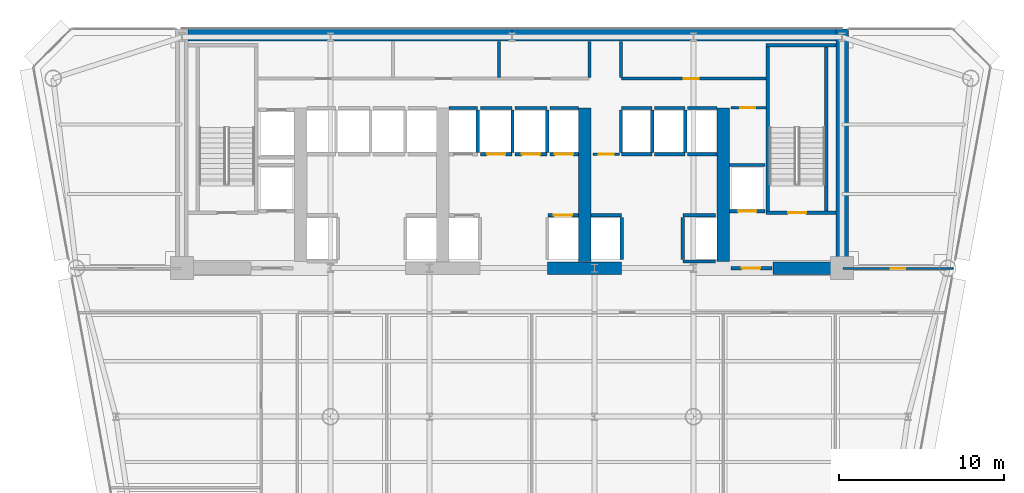
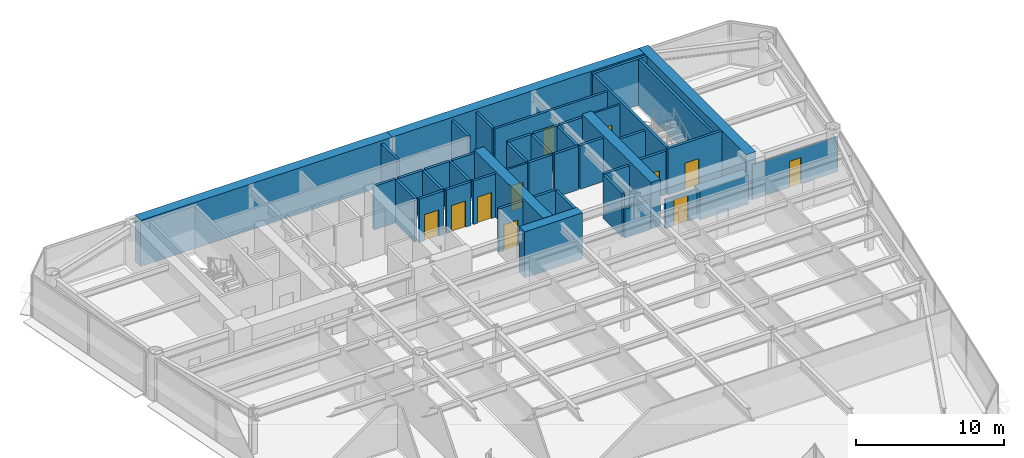
# One storey, part 10 of 15: 46 walls, 11 doors, 11 openings.
"""IFC4 building model written with IfcOpenShell, lengths in metres."""

from ifc_helpers import new_model, si_unit, direction, frame, frame_2d, origin, place, context, subcontext, project, spatial, rectangle, extrude, source, transform, mapped, material, layer, layer_set, type_object, element, fill, save


model = new_model("IFC4")

# Units and contexts
model_context = context("Model", 3, precision=1e-05, world=origin(), true_north=direction((0.0, 1.0)))
body_context = subcontext(model_context, "Body", "Model", "MODEL_VIEW")
ifc_project = project(units=[si_unit("LENGTHUNIT", "METRE"), si_unit("AREAUNIT", "SQUARE_METRE"), si_unit("VOLUMEUNIT", "CUBIC_METRE"), si_unit("PLANEANGLEUNIT", "RADIAN"), si_unit("MASSUNIT", "GRAM", prefix="KILO")], contexts=[model_context])

# Site, building, storey
site_placement = place(None, origin())
site = spatial("IfcSite", under=ifc_project, at=site_placement, CompositionType="ELEMENT")
building_placement = place(site_placement, origin())
building = spatial("IfcBuilding", under=site, at=building_placement, Name="Vaeldorn Concourse Tower", CompositionType="ELEMENT")
storey_placement = place(building_placement, frame((0.0, 0.0, 103.39990234375)))
storey = spatial("IfcBuildingStorey", under=building, at=storey_placement, Name="L26", CompositionType="ELEMENT", Elevation=103.39990234375)

# Walls
ifc_material_1 = material(Name="Concrete C60/75", Category="concrete")
ifc_layer_1 = layer(ifc_material_1, 0.75)
ifc_layer_set_1 = layer_set([ifc_layer_1], Name="Concrete C60/75")
wall_type_1 = type_object("IfcWallType", Name="WL-CORE-750", PredefinedType="SHEAR", material=ifc_layer_set_1)
for number, where, z_axis, x_axis, name in (
    (1, (14.37890625, 50.625, 0.0), (0.0, 0.0, 1.0), (1.0, 0.0, 0.0), "Rear Core Shear Wall L26 N1"),
    (2, (34.001953125, 50.625, 0.0), (0.0, 0.0, 1.0), (1.0, 0.0, 0.0), "Rear Core Shear Wall L26 N2"),
):
    element("IfcWall", number, at=place(storey_placement, frame(where, z_axis=z_axis, x_axis=x_axis)), inside=storey, type_object=wall_type_1, Name=name, PredefinedType="SHEAR", context=body_context, shape_type="SweptSolid", body=[
        extrude(rectangle(XDim=19.619140625, YDim=0.75, at=frame_2d((9.8095703125, 0.0))), origin(), (0.0, 0.0, 1.0), 3.800048828125),
    ])
wall_1_placement = place(storey_placement, frame((54.0, 36.5, 0.0), z_axis=(0.0, 0.0, 1.0), x_axis=(0.0, 1.0, 0.0)))
element("IfcWall", 3, at=wall_1_placement, inside=storey, type_object=wall_type_1, Name="Rear Core Shear Wall L26 E1", PredefinedType="SHEAR", context=body_context, shape_type="SweptSolid", body=[
    extrude(rectangle(XDim=14.5, YDim=0.75, at=frame_2d((7.25, 0.0))), origin(), (0.0, 0.0, 1.0), 3.800048828125),
])
wall_2_placement = place(storey_placement, frame((36.14990234375, 36.5, 0.0), z_axis=(0.0, 0.0, 1.0), x_axis=(1.0, 0.0, 0.0)))
element("IfcWall", 4, at=wall_2_placement, inside=storey, type_object=wall_type_1, Name="Rear Core Shear Wall L26 S3", PredefinedType="SHEAR", context=body_context, shape_type="SweptSolid", body=[
    extrude(rectangle(XDim=4.5, YDim=0.75, at=frame_2d((2.25, 0.0))), origin(), (0.0, 0.0, 1.0), 3.800048828125),
])
wall_3_placement = place(storey_placement, frame((49.800048828125, 36.5, 0.0), z_axis=(0.0, 0.0, 1.0), x_axis=(1.0, 0.0, 0.0)))
element("IfcWall", 5, at=wall_3_placement, inside=storey, type_object=wall_type_1, Name="Rear Core Shear Wall L26 S4", PredefinedType="SHEAR", context=body_context, shape_type="SweptSolid", body=[
    extrude(rectangle(XDim=3.804931640625, YDim=0.75, at=frame_2d((1.90234375, 0.0))), origin(), (0.0, 0.0, 1.0), 2.380126953125),
])
for number, where, z_axis, x_axis, name in (
    (6, (38.39990234375, 36.89501953125, 0.0), (0.0, 0.0, 1.0), (0.0, 1.0, 0.0), "Rear Core Shear Wall L26 M3"),
    (7, (46.800048828125, 36.89501953125, 0.0), (0.0, 0.0, 1.0), (0.0, 1.0, 0.0), "Rear Core Shear Wall L26 M4"),
):
    element("IfcWall", number, at=place(storey_placement, frame(where, z_axis=z_axis, x_axis=x_axis)), inside=storey, type_object=wall_type_1, Name=name, PredefinedType="SHEAR", context=body_context, shape_type="SweptSolid", body=[
        extrude(rectangle(XDim=9.304931640625, YDim=0.75, at=frame_2d((4.65234375, 0.0))), origin(), (0.0, 0.0, 1.0), 3.800048828125),
    ])

# Wall, opening, door
ifc_material_2 = material(Name="Gypsum Board Partition", Category="gypsum")
ifc_layer_2 = layer(ifc_material_2, 0.1201171875)
ifc_layer_set_2 = layer_set([ifc_layer_2], Name="Gypsum Board Partition")
wall_type_2 = type_object("IfcWallType", Name="WL-PART-120", PredefinedType="PARTITIONING", material=ifc_layer_set_2)
wall_4_placement = place(storey_placement, frame((54.06005859375, 36.47998046875, 0.0), z_axis=(0.0, 0.0, 1.0), x_axis=(1.0, 0.0, 0.0)))
wall_4 = element("IfcWall", 8, at=wall_4_placement, inside=storey, type_object=wall_type_2, Name="Interior Wall PW-L26-NES", PredefinedType="PARTITIONING", context=body_context, shape_type="SweptSolid", body=[
    extrude(rectangle(XDim=6.666259765625, YDim=0.1201171875, at=frame_2d((3.3330078125, 0.0))), origin(), (0.0, 0.0, 1.0), 2.8701171875),
])
opening_1_placement = place(wall_4_placement, frame((2.883056640625, 0.0, 0.0)))
opening_1 = element("IfcOpeningElement", 9, at=opening_1_placement, cuts=wall_4, Name="Opening D-03", PredefinedType="OPENING", context=body_context, shape_type="SweptSolid", body=[
    extrude(rectangle(XDim=0.89990234375, YDim=2.14990234375, at=frame_2d((0.449951171875, 1.074951171875))), frame((0.0, 0.070068359375, 0.0), z_axis=(0.0, -1.0, 0.0), x_axis=(1.0, 0.0, 0.0)), (0.0, 0.0, 1.0), 0.14013671875),
])
ifc_material_3 = material(Name="Acoustic Bronze-Framed Glass Door", Category="glass")
door_type_1 = type_object("IfcDoorType", Name="DR-INT-900", OperationType="NOTDEFINED", PredefinedType="DOOR", material=ifc_material_3)
shared_shape_1 = source(origin(), body_context, "Body", "SweptSolid", [
    extrude(rectangle(XDim=0.89990234375, YDim=2.14990234375, at=frame_2d((0.449951171875, 1.074951171875))), frame((0.0, 0.02490234375, 0.0), z_axis=(0.0, -1.0, 0.0), x_axis=(1.0, 0.0, 0.0)), (0.0, 0.0, 1.0), 0.050048828125),
])
door_1_placement = place(opening_1_placement, origin())
door_1 = element("IfcDoor", 10, at=door_1_placement, inside=storey, type_object=door_type_1, Name="Interior Door DR-L26-NEC", OperationType="SINGLE_SWING_RIGHT", OverallHeight=2.14990234375, OverallWidth=0.89990234375, PredefinedType="DOOR", context=body_context, shape_type="MappedRepresentation", body=[
    mapped(shared_shape_1, transform((0.0, 0.0, 0.0), scale=1.0)),
])
fill(opening_1, door_1)

ifc_layer_3 = layer(ifc_material_2, 0.14990234375)
ifc_layer_set_3 = layer_set([ifc_layer_3], Name="Gypsum Board Partition")
wall_type_3 = type_object("IfcWallType", Name="WL-PART-150", PredefinedType="PARTITIONING", material=ifc_layer_set_3)
wall_5_placement = place(storey_placement, frame((47.280029296875, 46.219970703125, 0.0), z_axis=(0.0, 0.0, 1.0), x_axis=(1.0, 0.0, 0.0)))
wall_5 = element("IfcWall", 11, at=wall_5_placement, inside=storey, type_object=wall_type_3, Name="Interior Wall CW-L26-CRSE-N", PredefinedType="PARTITIONING", context=body_context, shape_type="SweptSolid", body=[
    extrude(rectangle(XDim=2.099853515625, YDim=0.14990234375, at=frame_2d((1.0498046875, 0.0))), origin(), (0.0, 0.0, 1.0), 3.580078125),
])
opening_2_placement = place(wall_5_placement, frame((0.550048828125, 0.0, 0.0)))
opening_2 = element("IfcOpeningElement", 12, at=opening_2_placement, cuts=wall_5, Name="Opening D-02", PredefinedType="OPENING", context=body_context, shape_type="SweptSolid", body=[
    extrude(rectangle(XDim=0.89990234375, YDim=2.10009765625, at=frame_2d((0.449951171875, 1.050048828125))), frame((0.0, 0.0849609375, 0.0), z_axis=(0.0, -1.0, 0.0), x_axis=(1.0, 0.0, 0.0)), (0.0, 0.0, 1.0), 0.169921875),
])
ifc_material_4 = material(Name="Fire-Rated Timber Leaf", Category="wood")
door_type_2 = type_object("IfcDoorType", Name="DR-FD30-900", OperationType="NOTDEFINED", PredefinedType="DOOR", material=ifc_material_4)
shared_shape_2 = source(origin(), body_context, "Body", "SweptSolid", [
    extrude(rectangle(XDim=0.89990234375, YDim=2.10009765625, at=frame_2d((0.449951171875, 1.050048828125))), frame((0.0, 0.02490234375, 0.0), z_axis=(0.0, -1.0, 0.0), x_axis=(1.0, 0.0, 0.0)), (0.0, 0.0, 1.0), 0.050048828125),
])
door_2_placement = place(opening_2_placement, origin())
door_2 = element("IfcDoor", 13, at=door_2_placement, inside=storey, type_object=door_type_2, Name="Interior Door DR-L26-CRSE", OperationType="SINGLE_SWING_RIGHT", OverallHeight=2.10009765625, OverallWidth=0.89990234375, PredefinedType="DOOR", context=body_context, shape_type="MappedRepresentation", body=[
    mapped(shared_shape_2, transform((0.0, 0.0, 0.0), scale=1.0)),
])
fill(opening_2, door_2)

wall_6_placement = place(storey_placement, frame((38.919921875, 43.39990234375, 0.0), z_axis=(0.0, 0.0, 1.0), x_axis=(1.0, 0.0, 0.0)))
wall_6 = element("IfcWall", 14, at=wall_6_placement, inside=storey, type_object=wall_type_3, Name="Interior Wall CW-L26-CCLINK", PredefinedType="PARTITIONING", context=body_context, shape_type="SweptSolid", body=[
    extrude(rectangle(XDim=1.60009765625, YDim=0.14990234375, at=frame_2d((0.800048828125, 0.0))), origin(), (0.0, 0.0, 1.0), 3.580078125),
])
opening_3_placement = place(wall_6_placement, frame((0.35009765625, 0.0, 0.0)))
opening_3 = element("IfcOpeningElement", 15, at=opening_3_placement, cuts=wall_6, Name="Opening D-02", PredefinedType="OPENING", context=body_context, shape_type="SweptSolid", body=[
    extrude(rectangle(XDim=0.89990234375, YDim=2.10009765625, at=frame_2d((0.449951171875, 1.050048828125))), frame((0.0, 0.0849609375, 0.0), z_axis=(0.0, -1.0, 0.0), x_axis=(1.0, 0.0, 0.0)), (0.0, 0.0, 1.0), 0.169921875),
])
door_3_placement = place(opening_3_placement, origin())
door_3 = element("IfcDoor", 16, at=door_3_placement, inside=storey, type_object=door_type_2, Name="Interior Door DR-L26-CCLINK", OperationType="SINGLE_SWING_LEFT", OverallHeight=2.10009765625, OverallWidth=0.89990234375, PredefinedType="DOOR", context=body_context, shape_type="MappedRepresentation", body=[
    mapped(shared_shape_2, transform((0.0, 0.0, 0.0), scale=1.0)),
])
fill(opening_3, door_3)

ifc_layer_4 = layer(ifc_material_2, 0.179931640625)
ifc_layer_set_4 = layer_set([ifc_layer_4], Name="Gypsum Board Partition")
wall_type_4 = type_object("IfcWallType", Name="WL-PLUMB-180", PredefinedType="PLUMBINGWALL", material=ifc_layer_set_4)
wall_7_placement = place(storey_placement, frame((40.6201171875, 47.97998046875, 0.0), z_axis=(0.0, 0.0, 1.0), x_axis=(1.0, 0.0, 0.0)))
wall_7 = element("IfcWall", 17, at=wall_7_placement, inside=storey, type_object=wall_type_4, Name="Interior Wall CW-L26-NS1E", PredefinedType="PLUMBINGWALL", context=body_context, shape_type="SweptSolid", body=[
    extrude(rectangle(XDim=8.759765625, YDim=0.179931640625, at=frame_2d((4.3798828125, 0.0))), origin(), (0.0, 0.0, 1.0), 3.580078125),
])
opening_4_placement = place(wall_7_placement, frame((3.800048828125, 0.0, 0.0)))
opening_4 = element("IfcOpeningElement", 18, at=opening_4_placement, cuts=wall_7, Name="Opening D-03", PredefinedType="OPENING", context=body_context, shape_type="SweptSolid", body=[
    extrude(rectangle(XDim=0.89990234375, YDim=2.14990234375, at=frame_2d((0.449951171875, 1.074951171875))), frame((0.0, 0.10009765625, 0.0), z_axis=(0.0, -1.0, 0.0), x_axis=(1.0, 0.0, 0.0)), (0.0, 0.0, 1.0), 0.199951171875),
])
door_4_placement = place(opening_4_placement, origin())
door_4 = element("IfcDoor", 19, at=door_4_placement, inside=storey, type_object=door_type_1, Name="Interior Door DR-L26-CS4", OperationType="SINGLE_SWING_RIGHT", OverallHeight=2.14990234375, OverallWidth=0.89990234375, PredefinedType="DOOR", context=body_context, shape_type="MappedRepresentation", body=[
    mapped(shared_shape_1, transform((0.0, 0.0, 0.0), scale=1.0)),
])
fill(opening_4, door_4)

# Walls
for number, where, z_axis, x_axis, name in (
    (20, (33.199951171875, 48.06005859375, 0.0), (0.0, 0.0, 1.0), (0.0, 1.0, 0.0), "Interior Wall CW-L26-NDIV2"),
    (21, (38.699951171875, 48.06005859375, 0.0), (0.0, 0.0, 1.0), (0.0, 1.0, 0.0), "Interior Wall CW-L26-NDIV3"),
    (22, (40.60009765625, 48.06005859375, 0.0), (0.0, 0.0, 1.0), (0.0, 1.0, 0.0), "Interior Wall CW-L26-NDIV4"),
):
    element("IfcWall", number, at=place(storey_placement, frame(where, z_axis=z_axis, x_axis=x_axis)), inside=storey, type_object=wall_type_4, Name=name, PredefinedType="PLUMBINGWALL", context=body_context, shape_type="SweptSolid", body=[
        extrude(rectangle(XDim=2.169921875, YDim=0.179931640625, at=frame_2d((1.0849609375, 0.0))), origin(), (0.0, 0.0, 1.0), 3.580078125),
    ])

# Wall, opening, door
ifc_material_5 = material(Name="Concrete C50/60", Category="concrete")
ifc_layer_5 = layer(ifc_material_5, 0.199951171875)
ifc_layer_set_5 = layer_set([ifc_layer_5], Name="Concrete C50/60")
wall_type_5 = type_object("IfcWallType", Name="WL-SHAFT-200", PredefinedType="SOLIDWALL", material=ifc_layer_set_5)
wall_8_placement = place(storey_placement, frame((49.39990234375, 39.85009765625, 0.0), z_axis=(0.0, 0.0, 1.0), x_axis=(1.0, 0.0, 0.0)))
wall_8 = element("IfcWall", 23, at=wall_8_placement, inside=storey, type_object=wall_type_5, Name="Stair Shaft Wall CW-L26-ST-2-S", PredefinedType="SOLIDWALL", context=body_context, shape_type="SweptSolid", body=[
    extrude(rectangle(XDim=4.22509765625, YDim=0.199951171875, at=frame_2d((2.112548828125, 0.0))), origin(), (0.0, 0.0, 1.0), 3.800048828125),
])
opening_5_placement = place(wall_8_placement, frame((1.324951171875, 0.0, 0.0)))
opening_5 = element("IfcOpeningElement", 24, at=opening_5_placement, cuts=wall_8, Name="Opening D-01", PredefinedType="OPENING", context=body_context, shape_type="SweptSolid", body=[
    extrude(rectangle(XDim=1.10009765625, YDim=2.14990234375, at=frame_2d((0.550048828125, 1.074951171875))), frame((0.0, 0.10986328125, 0.0), z_axis=(0.0, -1.0, 0.0), x_axis=(1.0, 0.0, 0.0)), (0.0, 0.0, 1.0), 0.219970703125),
])
ifc_material_6 = material(Name="Fire-Rated Timber and Steel Leaf", Category="steel")
door_type_3 = type_object("IfcDoorType", Name="DR-FD60-1100", OperationType="NOTDEFINED", PredefinedType="DOOR", material=ifc_material_6)
shared_shape_3 = source(origin(), body_context, "Body", "SweptSolid", [
    extrude(rectangle(XDim=1.10009765625, YDim=2.14990234375, at=frame_2d((0.550048828125, 1.074951171875))), frame((0.0, 0.02490234375, 0.0), z_axis=(0.0, -1.0, 0.0), x_axis=(1.0, 0.0, 0.0)), (0.0, 0.0, 1.0), 0.050048828125),
])
door_5_placement = place(opening_5_placement, origin())
door_5 = element("IfcDoor", 25, at=door_5_placement, inside=storey, type_object=door_type_3, Name="Interior Door DR-L26-ST-2", OperationType="SINGLE_SWING_RIGHT", OverallHeight=2.14990234375, OverallWidth=1.10009765625, PredefinedType="DOOR", context=body_context, shape_type="MappedRepresentation", body=[
    mapped(shared_shape_3, transform((0.0, 0.0, 0.0), scale=1.0)),
])
fill(opening_5, door_5)

# Walls
wall_9_placement = place(storey_placement, frame((49.39990234375, 50.0, 0.0), z_axis=(0.0, 0.0, 1.0), x_axis=(1.0, 0.0, 0.0)))
element("IfcWall", 26, at=wall_9_placement, inside=storey, type_object=wall_type_5, Name="Stair Shaft Wall CW-L26-ST-2-N", PredefinedType="SOLIDWALL", context=body_context, shape_type="SweptSolid", body=[
    extrude(rectangle(XDim=4.22509765625, YDim=0.199951171875, at=frame_2d((2.112548828125, 0.0))), origin(), (0.0, 0.0, 1.0), 3.800048828125),
])
for number, where, z_axis, x_axis, name in (
    (27, (49.5, 39.9599609375, 0.0), (0.0, 0.0, 1.0), (0.0, 1.0, 0.0), "Stair Shaft Wall CW-L26-ST-2-W"),
    (28, (53.050048828125, 39.9599609375, 0.0), (0.0, 0.0, 1.0), (0.0, 1.0, 0.0), "Stair Shaft Wall CW-L26-ST-2-E"),
):
    element("IfcWall", number, at=place(storey_placement, frame(where, z_axis=z_axis, x_axis=x_axis)), inside=storey, type_object=wall_type_5, Name=name, PredefinedType="SOLIDWALL", context=body_context, shape_type="SweptSolid", body=[
        extrude(rectangle(XDim=9.929931640625, YDim=0.199951171875, at=frame_2d((4.96484375, 0.0))), origin(), (0.0, 0.0, 1.0), 3.800048828125),
    ])

# Wall, opening, door
wall_10_placement = place(storey_placement, frame((47.280029296875, 36.5, 0.0), z_axis=(0.0, 0.0, 1.0), x_axis=(1.0, 0.0, 0.0)))
wall_10 = element("IfcWall", 29, at=wall_10_placement, inside=storey, type_object=wall_type_5, Name="Interior Wall CW-L26-FF2S", PredefinedType="SOLIDWALL", context=body_context, shape_type="SweptSolid", body=[
    extrude(rectangle(XDim=2.469970703125, YDim=0.199951171875, at=frame_2d((1.23486328125, 0.0))), origin(), (0.0, 0.0, 1.0), 2.3701171875),
])
opening_6_placement = place(wall_10_placement, frame((0.64990234375, 0.0, 0.0)))
opening_6 = element("IfcOpeningElement", 30, at=opening_6_placement, cuts=wall_10, Name="Opening D-01", PredefinedType="OPENING", context=body_context, shape_type="SweptSolid", body=[
    extrude(rectangle(XDim=1.10009765625, YDim=2.14990234375, at=frame_2d((0.550048828125, 1.074951171875))), frame((0.0, 0.10986328125, 0.0), z_axis=(0.0, -1.0, 0.0), x_axis=(1.0, 0.0, 0.0)), (0.0, 0.0, 1.0), 0.219970703125),
])
door_6_placement = place(opening_6_placement, origin())
door_6 = element("IfcDoor", 31, at=door_6_placement, inside=storey, type_object=door_type_3, Name="Interior Door DR-L26-FF2W", OperationType="SINGLE_SWING_LEFT", OverallHeight=2.14990234375, OverallWidth=1.10009765625, PredefinedType="DOOR", context=body_context, shape_type="MappedRepresentation", body=[
    mapped(shared_shape_3, transform((0.0, 0.0, 0.0), scale=1.0)),
])
fill(opening_6, door_6)

wall_11_placement = place(storey_placement, frame((36.169921875, 39.699951171875, 0.0), z_axis=(0.0, 0.0, 1.0), x_axis=(1.0, 0.0, 0.0)))
wall_11 = element("IfcWall", 32, at=wall_11_placement, inside=storey, type_object=wall_type_5, Name="Interior Wall CW-L26-LF-LF-08", PredefinedType="SOLIDWALL", context=body_context, shape_type="SweptSolid", body=[
    extrude(rectangle(XDim=1.844970703125, YDim=0.199951171875, at=frame_2d((0.92236328125, 0.0))), origin(), (0.0, 0.0, 1.0), 3.580078125),
])
opening_7_placement = place(wall_11_placement, frame((0.3720703125, 0.0, 0.0)))
opening_7 = element("IfcOpeningElement", 33, at=opening_7_placement, cuts=wall_11, Name="Opening LD-1", PredefinedType="OPENING", context=body_context, shape_type="SweptSolid", body=[
    extrude(rectangle(XDim=1.10009765625, YDim=2.14990234375, at=frame_2d((0.550048828125, 1.074951171875))), frame((0.0, 0.10986328125, 0.0), z_axis=(0.0, -1.0, 0.0), x_axis=(1.0, 0.0, 0.0)), (0.0, 0.0, 1.0), 0.219970703125),
])
ifc_material_7 = material(Name="Anodised Bronze Aluminium", Category="aluminium")
door_type_4 = type_object("IfcDoorType", Name="DR-LIFT-SLIDE-1100", OperationType="DOUBLE_DOOR_SLIDING", PredefinedType="DOOR", material=ifc_material_7)
door_7_placement = place(opening_7_placement, origin())
door_7 = element("IfcDoor", 34, at=door_7_placement, inside=storey, type_object=door_type_4, Name="Lift Landing Door LD-L26-LF-08", OperationType="DOUBLE_DOOR_SLIDING", OverallHeight=2.14990234375, OverallWidth=1.10009765625, PredefinedType="DOOR", context=body_context, shape_type="MappedRepresentation", body=[
    mapped(shared_shape_3, transform((0.0, 0.0, 0.0), scale=1.0)),
])
fill(opening_7, door_7)

# Walls
wall_12_placement = place(storey_placement, frame((30.18505859375, 46.199951171875, 0.0), z_axis=(0.0, 0.0, 1.0), x_axis=(1.0, 0.0, 0.0)))
element("IfcWall", 35, at=wall_12_placement, inside=storey, type_object=wall_type_5, Name="Interior Wall CW-L26-LFB-LF-09", PredefinedType="SOLIDWALL", context=body_context, shape_type="SweptSolid", body=[
    extrude(rectangle(XDim=1.724853515625, YDim=0.199951171875, at=frame_2d((0.8623046875, 0.0))), origin(), (0.0, 0.0, 1.0), 3.580078125),
])
wall_13_placement = place(storey_placement, frame((31.929931640625, 43.52001953125, 0.0), z_axis=(0.0, 0.0, 1.0), x_axis=(0.0, 1.0, 0.0)))
element("IfcWall", 36, at=wall_13_placement, inside=storey, type_object=wall_type_5, Name="Interior Wall CW-L26-LFE-LF-09", PredefinedType="SOLIDWALL", context=body_context, shape_type="SweptSolid", body=[
    extrude(rectangle(XDim=2.56005859375, YDim=0.199951171875, at=frame_2d((1.280029296875, 0.0))), origin(), (0.0, 0.0, 1.0), 3.580078125),
])

# Wall, opening, door
wall_14_placement = place(storey_placement, frame((32.090087890625, 43.39990234375, 0.0), z_axis=(0.0, 0.0, 1.0), x_axis=(1.0, 0.0, 0.0)))
wall_14 = element("IfcWall", 37, at=wall_14_placement, inside=storey, type_object=wall_type_5, Name="Interior Wall CW-L26-LF-LF-10", PredefinedType="SOLIDWALL", context=body_context, shape_type="SweptSolid", body=[
    extrude(rectangle(XDim=1.919921875, YDim=0.199951171875, at=frame_2d((0.9599609375, 0.0))), origin(), (0.0, 0.0, 1.0), 3.580078125),
])
opening_8_placement = place(wall_14_placement, frame((0.409912109375, 0.0, 0.0)))
opening_8 = element("IfcOpeningElement", 38, at=opening_8_placement, cuts=wall_14, Name="Opening LD-1", PredefinedType="OPENING", context=body_context, shape_type="SweptSolid", body=[
    extrude(rectangle(XDim=1.10009765625, YDim=2.14990234375, at=frame_2d((0.550048828125, 1.074951171875))), frame((0.0, 0.10986328125, 0.0), z_axis=(0.0, -1.0, 0.0), x_axis=(1.0, 0.0, 0.0)), (0.0, 0.0, 1.0), 0.219970703125),
])
door_8_placement = place(opening_8_placement, origin())
door_8 = element("IfcDoor", 39, at=door_8_placement, inside=storey, type_object=door_type_4, Name="Lift Landing Door LD-L26-LF-10", OperationType="DOUBLE_DOOR_SLIDING", OverallHeight=2.14990234375, OverallWidth=1.10009765625, PredefinedType="DOOR", context=body_context, shape_type="MappedRepresentation", body=[
    mapped(shared_shape_3, transform((0.0, 0.0, 0.0), scale=1.0)),
])
fill(opening_8, door_8)

# Walls
wall_15_placement = place(storey_placement, frame((32.090087890625, 46.199951171875, 0.0), z_axis=(0.0, 0.0, 1.0), x_axis=(1.0, 0.0, 0.0)))
element("IfcWall", 40, at=wall_15_placement, inside=storey, type_object=wall_type_5, Name="Interior Wall CW-L26-LFB-LF-10", PredefinedType="SOLIDWALL", context=body_context, shape_type="SweptSolid", body=[
    extrude(rectangle(XDim=1.919921875, YDim=0.199951171875, at=frame_2d((0.9599609375, 0.0))), origin(), (0.0, 0.0, 1.0), 3.580078125),
])
wall_16_placement = place(storey_placement, frame((34.030029296875, 43.52001953125, 0.0), z_axis=(0.0, 0.0, 1.0), x_axis=(0.0, 1.0, 0.0)))
element("IfcWall", 41, at=wall_16_placement, inside=storey, type_object=wall_type_5, Name="Interior Wall CW-L26-LFE-LF-10", PredefinedType="SOLIDWALL", context=body_context, shape_type="SweptSolid", body=[
    extrude(rectangle(XDim=2.56005859375, YDim=0.199951171875, at=frame_2d((1.280029296875, 0.0))), origin(), (0.0, 0.0, 1.0), 3.580078125),
])

# Wall, opening, door
wall_17_placement = place(storey_placement, frame((34.18994140625, 43.39990234375, 0.0), z_axis=(0.0, 0.0, 1.0), x_axis=(1.0, 0.0, 0.0)))
wall_17 = element("IfcWall", 42, at=wall_17_placement, inside=storey, type_object=wall_type_5, Name="Interior Wall CW-L26-LF-LF-11", PredefinedType="SOLIDWALL", context=body_context, shape_type="SweptSolid", body=[
    extrude(rectangle(XDim=1.920166015625, YDim=0.199951171875, at=frame_2d((0.9599609375, 0.0))), origin(), (0.0, 0.0, 1.0), 3.580078125),
])
opening_9_placement = place(wall_17_placement, frame((0.409912109375, 0.0, 0.0)))
opening_9 = element("IfcOpeningElement", 43, at=opening_9_placement, cuts=wall_17, Name="Opening LD-1", PredefinedType="OPENING", context=body_context, shape_type="SweptSolid", body=[
    extrude(rectangle(XDim=1.10009765625, YDim=2.14990234375, at=frame_2d((0.550048828125, 1.074951171875))), frame((0.0, 0.10986328125, 0.0), z_axis=(0.0, -1.0, 0.0), x_axis=(1.0, 0.0, 0.0)), (0.0, 0.0, 1.0), 0.219970703125),
])
door_9_placement = place(opening_9_placement, origin())
door_9 = element("IfcDoor", 44, at=door_9_placement, inside=storey, type_object=door_type_4, Name="Lift Landing Door LD-L26-LF-11", OperationType="DOUBLE_DOOR_SLIDING", OverallHeight=2.14990234375, OverallWidth=1.10009765625, PredefinedType="DOOR", context=body_context, shape_type="MappedRepresentation", body=[
    mapped(shared_shape_3, transform((0.0, 0.0, 0.0), scale=1.0)),
])
fill(opening_9, door_9)

# Walls
wall_18_placement = place(storey_placement, frame((34.18994140625, 46.199951171875, 0.0), z_axis=(0.0, 0.0, 1.0), x_axis=(1.0, 0.0, 0.0)))
element("IfcWall", 45, at=wall_18_placement, inside=storey, type_object=wall_type_5, Name="Interior Wall CW-L26-LFB-LF-11", PredefinedType="SOLIDWALL", context=body_context, shape_type="SweptSolid", body=[
    extrude(rectangle(XDim=1.920166015625, YDim=0.199951171875, at=frame_2d((0.9599609375, 0.0))), origin(), (0.0, 0.0, 1.0), 3.580078125),
])
wall_19_placement = place(storey_placement, frame((36.1298828125, 43.52001953125, 0.0), z_axis=(0.0, 0.0, 1.0), x_axis=(0.0, 1.0, 0.0)))
element("IfcWall", 46, at=wall_19_placement, inside=storey, type_object=wall_type_5, Name="Interior Wall CW-L26-LFE-LF-11", PredefinedType="SOLIDWALL", context=body_context, shape_type="SweptSolid", body=[
    extrude(rectangle(XDim=2.56005859375, YDim=0.199951171875, at=frame_2d((1.280029296875, 0.0))), origin(), (0.0, 0.0, 1.0), 3.580078125),
])

# Wall, opening, door
wall_20_placement = place(storey_placement, frame((36.2900390625, 43.39990234375, 0.0), z_axis=(0.0, 0.0, 1.0), x_axis=(1.0, 0.0, 0.0)))
wall_20 = element("IfcWall", 47, at=wall_20_placement, inside=storey, type_object=wall_type_5, Name="Interior Wall CW-L26-LF-LF-12", PredefinedType="SOLIDWALL", context=body_context, shape_type="SweptSolid", body=[
    extrude(rectangle(XDim=1.724853515625, YDim=0.199951171875, at=frame_2d((0.8623046875, 0.0))), origin(), (0.0, 0.0, 1.0), 3.580078125),
])
opening_10_placement = place(wall_20_placement, frame((0.31298828125, 0.0, 0.0)))
opening_10 = element("IfcOpeningElement", 48, at=opening_10_placement, cuts=wall_20, Name="Opening LD-1", PredefinedType="OPENING", context=body_context, shape_type="SweptSolid", body=[
    extrude(rectangle(XDim=1.10009765625, YDim=2.14990234375, at=frame_2d((0.550048828125, 1.074951171875))), frame((0.0, 0.10986328125, 0.0), z_axis=(0.0, -1.0, 0.0), x_axis=(1.0, 0.0, 0.0)), (0.0, 0.0, 1.0), 0.219970703125),
])
door_10_placement = place(opening_10_placement, origin())
door_10 = element("IfcDoor", 49, at=door_10_placement, inside=storey, type_object=door_type_4, Name="Lift Landing Door LD-L26-LF-12", OperationType="DOUBLE_DOOR_SLIDING", OverallHeight=2.14990234375, OverallWidth=1.10009765625, PredefinedType="DOOR", context=body_context, shape_type="MappedRepresentation", body=[
    mapped(shared_shape_3, transform((0.0, 0.0, 0.0), scale=1.0)),
])
fill(opening_10, door_10)

# Walls
wall_21_placement = place(storey_placement, frame((36.2900390625, 46.199951171875, 0.0), z_axis=(0.0, 0.0, 1.0), x_axis=(1.0, 0.0, 0.0)))
element("IfcWall", 50, at=wall_21_placement, inside=storey, type_object=wall_type_5, Name="Interior Wall CW-L26-LFB-LF-12", PredefinedType="SOLIDWALL", context=body_context, shape_type="SweptSolid", body=[
    extrude(rectangle(XDim=1.724853515625, YDim=0.199951171875, at=frame_2d((0.8623046875, 0.0))), origin(), (0.0, 0.0, 1.0), 3.580078125),
])
wall_22_placement = place(storey_placement, frame((38.784912109375, 39.699951171875, 0.0), z_axis=(0.0, 0.0, 1.0), x_axis=(1.0, 0.0, 0.0)))
element("IfcWall", 51, at=wall_22_placement, inside=storey, type_object=wall_type_5, Name="Interior Wall CW-L26-LF-LF-13", PredefinedType="SOLIDWALL", context=body_context, shape_type="SweptSolid", body=[
    extrude(rectangle(XDim=1.844970703125, YDim=0.199951171875, at=frame_2d((0.92236328125, 0.0))), origin(), (0.0, 0.0, 1.0), 3.580078125),
])
wall_23_placement = place(storey_placement, frame((40.64990234375, 37.02001953125, 0.0), z_axis=(0.0, 0.0, 1.0), x_axis=(0.0, 1.0, 0.0)))
element("IfcWall", 52, at=wall_23_placement, inside=storey, type_object=wall_type_5, Name="Interior Wall CW-L26-LFE-LF-13", PredefinedType="SOLIDWALL", context=body_context, shape_type="SweptSolid", body=[
    extrude(rectangle(XDim=2.56005859375, YDim=0.199951171875, at=frame_2d((1.280029296875, 0.0))), origin(), (0.0, 0.0, 1.0), 3.580078125),
])
wall_24_placement = place(storey_placement, frame((44.3701171875, 39.699951171875, 0.0), z_axis=(0.0, 0.0, 1.0), x_axis=(1.0, 0.0, 0.0)))
element("IfcWall", 53, at=wall_24_placement, inside=storey, type_object=wall_type_5, Name="Interior Wall CW-L26-LF-LF-14", PredefinedType="SOLIDWALL", context=body_context, shape_type="SweptSolid", body=[
    extrude(rectangle(XDim=1.9599609375, YDim=0.199951171875, at=frame_2d((0.97998046875, 0.0))), origin(), (0.0, 0.0, 1.0), 3.580078125),
])
wall_25_placement = place(storey_placement, frame((44.3701171875, 36.89990234375, 0.0), z_axis=(0.0, 0.0, 1.0), x_axis=(1.0, 0.0, 0.0)))
element("IfcWall", 54, at=wall_25_placement, inside=storey, type_object=wall_type_5, Name="Interior Wall CW-L26-LFB-LF-14", PredefinedType="SOLIDWALL", context=body_context, shape_type="SweptSolid", body=[
    extrude(rectangle(XDim=1.9599609375, YDim=0.199951171875, at=frame_2d((0.97998046875, 0.0))), origin(), (0.0, 0.0, 1.0), 2.3701171875),
])
wall_26_placement = place(storey_placement, frame((44.35009765625, 37.02001953125, 0.0), z_axis=(0.0, 0.0, 1.0), x_axis=(0.0, 1.0, 0.0)))
element("IfcWall", 55, at=wall_26_placement, inside=storey, type_object=wall_type_5, Name="Interior Wall CW-L26-LFW-LF-14", PredefinedType="SOLIDWALL", context=body_context, shape_type="SweptSolid", body=[
    extrude(rectangle(XDim=2.56005859375, YDim=0.199951171875, at=frame_2d((1.280029296875, 0.0))), origin(), (0.0, 0.0, 1.0), 3.580078125),
])
for number, where, z_axis, x_axis, name in (
    (56, (40.6201171875, 43.39990234375, 0.0), (0.0, 0.0, 1.0), (1.0, 0.0, 0.0), "Interior Wall CW-L26-LF-LF-15"),
    (57, (40.6201171875, 46.199951171875, 0.0), (0.0, 0.0, 1.0), (1.0, 0.0, 0.0), "Interior Wall CW-L26-LFB-LF-15"),
):
    element("IfcWall", number, at=place(storey_placement, frame(where, z_axis=z_axis, x_axis=x_axis)), inside=storey, type_object=wall_type_5, Name=name, PredefinedType="SOLIDWALL", context=body_context, shape_type="SweptSolid", body=[
        extrude(rectangle(XDim=1.85986328125, YDim=0.199951171875, at=frame_2d((0.929931640625, 0.0))), origin(), (0.0, 0.0, 1.0), 3.580078125),
    ])
for number, where, z_axis, x_axis, name in (
    (58, (40.60009765625, 43.52001953125, 0.0), (0.0, 0.0, 1.0), (0.0, 1.0, 0.0), "Interior Wall CW-L26-LFW-LF-15"),
    (59, (42.5, 43.52001953125, 0.0), (0.0, 0.0, 1.0), (0.0, 1.0, 0.0), "Interior Wall CW-L26-LFE-LF-15"),
):
    element("IfcWall", number, at=place(storey_placement, frame(where, z_axis=z_axis, x_axis=x_axis)), inside=storey, type_object=wall_type_5, Name=name, PredefinedType="SOLIDWALL", context=body_context, shape_type="SweptSolid", body=[
        extrude(rectangle(XDim=2.56005859375, YDim=0.199951171875, at=frame_2d((1.280029296875, 0.0))), origin(), (0.0, 0.0, 1.0), 3.580078125),
    ])
for number, where, z_axis, x_axis, name in (
    (60, (42.6201171875, 43.39990234375, 0.0), (0.0, 0.0, 1.0), (1.0, 0.0, 0.0), "Interior Wall CW-L26-LF-LF-16"),
    (61, (42.6201171875, 46.199951171875, 0.0), (0.0, 0.0, 1.0), (1.0, 0.0, 0.0), "Interior Wall CW-L26-LFB-LF-16"),
):
    element("IfcWall", number, at=place(storey_placement, frame(where, z_axis=z_axis, x_axis=x_axis)), inside=storey, type_object=wall_type_5, Name=name, PredefinedType="SOLIDWALL", context=body_context, shape_type="SweptSolid", body=[
        extrude(rectangle(XDim=1.85986328125, YDim=0.199951171875, at=frame_2d((0.929931640625, 0.0))), origin(), (0.0, 0.0, 1.0), 3.580078125),
    ])
wall_27_placement = place(storey_placement, frame((44.5, 43.52001953125, 0.0), z_axis=(0.0, 0.0, 1.0), x_axis=(0.0, 1.0, 0.0)))
element("IfcWall", 62, at=wall_27_placement, inside=storey, type_object=wall_type_5, Name="Interior Wall CW-L26-LFE-LF-16", PredefinedType="SOLIDWALL", context=body_context, shape_type="SweptSolid", body=[
    extrude(rectangle(XDim=2.56005859375, YDim=0.199951171875, at=frame_2d((1.280029296875, 0.0))), origin(), (0.0, 0.0, 1.0), 3.580078125),
])
for number, where, z_axis, x_axis, name in (
    (63, (44.6201171875, 43.39990234375, 0.0), (0.0, 0.0, 1.0), (1.0, 0.0, 0.0), "Interior Wall CW-L26-LF-LF-17"),
    (64, (44.6201171875, 46.199951171875, 0.0), (0.0, 0.0, 1.0), (1.0, 0.0, 0.0), "Interior Wall CW-L26-LFB-LF-17"),
):
    element("IfcWall", number, at=place(storey_placement, frame(where, z_axis=z_axis, x_axis=x_axis)), inside=storey, type_object=wall_type_5, Name=name, PredefinedType="SOLIDWALL", context=body_context, shape_type="SweptSolid", body=[
        extrude(rectangle(XDim=1.794921875, YDim=0.199951171875, at=frame_2d((0.8974609375, 0.0))), origin(), (0.0, 0.0, 1.0), 3.580078125),
    ])

# Wall, opening, door
wall_28_placement = place(storey_placement, frame((47.18505859375, 39.949951171875, 0.0), z_axis=(0.0, 0.0, 1.0), x_axis=(1.0, 0.0, 0.0)))
wall_28 = element("IfcWall", 65, at=wall_28_placement, inside=storey, type_object=wall_type_5, Name="Interior Wall CW-L26-LF-LF-FF2", PredefinedType="SOLIDWALL", context=body_context, shape_type="SweptSolid", body=[
    extrude(rectangle(XDim=2.14501953125, YDim=0.199951171875, at=frame_2d((1.072509765625, 0.0))), origin(), (0.0, 0.0, 1.0), 3.580078125),
])
opening_11_placement = place(wall_28_placement, frame((0.52197265625, 0.0, 0.0)))
opening_11 = element("IfcOpeningElement", 66, at=opening_11_placement, cuts=wall_28, Name="Opening LD-1", PredefinedType="OPENING", context=body_context, shape_type="SweptSolid", body=[
    extrude(rectangle(XDim=1.10009765625, YDim=2.14990234375, at=frame_2d((0.550048828125, 1.074951171875))), frame((0.0, 0.10986328125, 0.0), z_axis=(0.0, -1.0, 0.0), x_axis=(1.0, 0.0, 0.0)), (0.0, 0.0, 1.0), 0.219970703125),
])
door_11_placement = place(opening_11_placement, origin())
door_11 = element("IfcDoor", 67, at=door_11_placement, inside=storey, type_object=door_type_4, Name="Lift Landing Door LD-L26-LF-FF2", OperationType="DOUBLE_DOOR_SLIDING", OverallHeight=2.14990234375, OverallWidth=1.10009765625, PredefinedType="DOOR", context=body_context, shape_type="MappedRepresentation", body=[
    mapped(shared_shape_3, transform((0.0, 0.0, 0.0), scale=1.0)),
])
fill(opening_11, door_11)

# Wall
wall_29_placement = place(storey_placement, frame((47.18505859375, 42.75, 0.0), z_axis=(0.0, 0.0, 1.0), x_axis=(1.0, 0.0, 0.0)))
element("IfcWall", 68, at=wall_29_placement, inside=storey, type_object=wall_type_5, Name="Interior Wall CW-L26-LFB-LF-FF2", PredefinedType="SOLIDWALL", context=body_context, shape_type="SweptSolid", body=[
    extrude(rectangle(XDim=2.14501953125, YDim=0.199951171875, at=frame_2d((1.072509765625, 0.0))), origin(), (0.0, 0.0, 1.0), 3.580078125),
])

save(model, "model.ifc")
